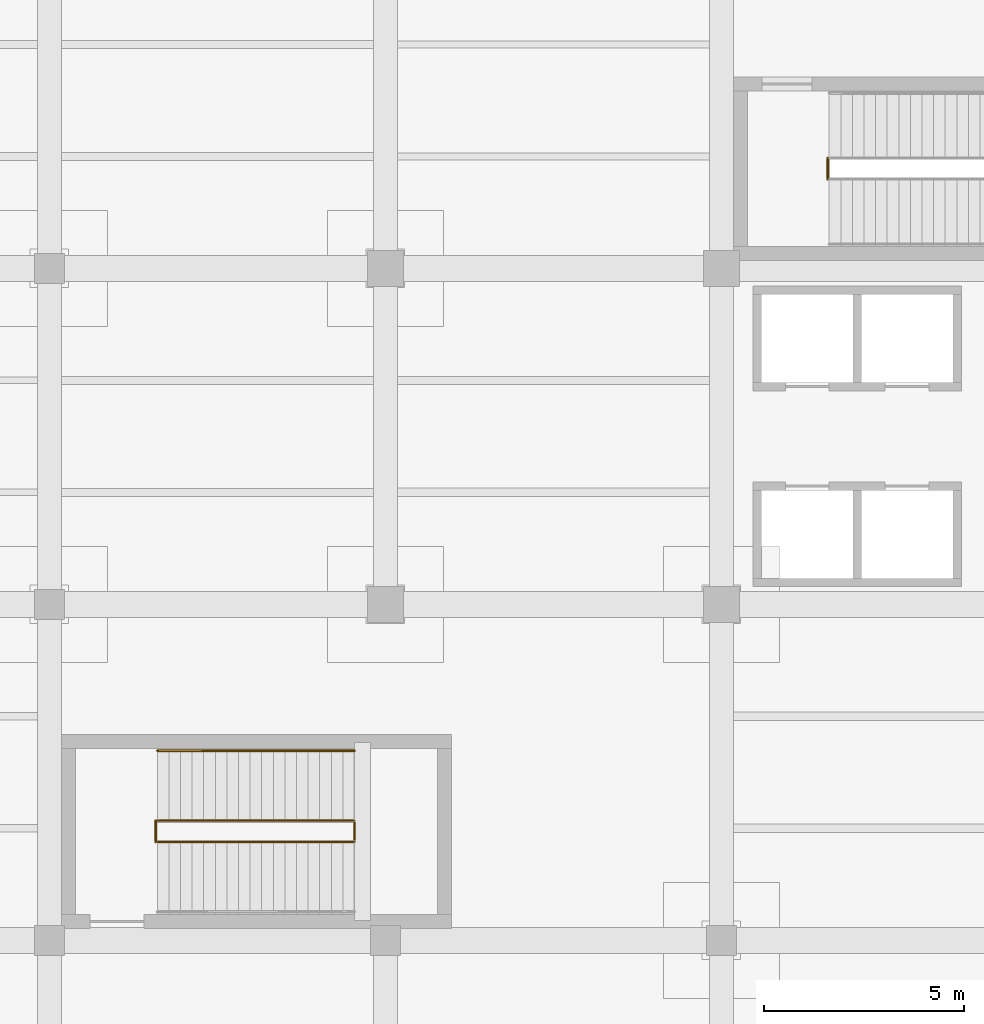
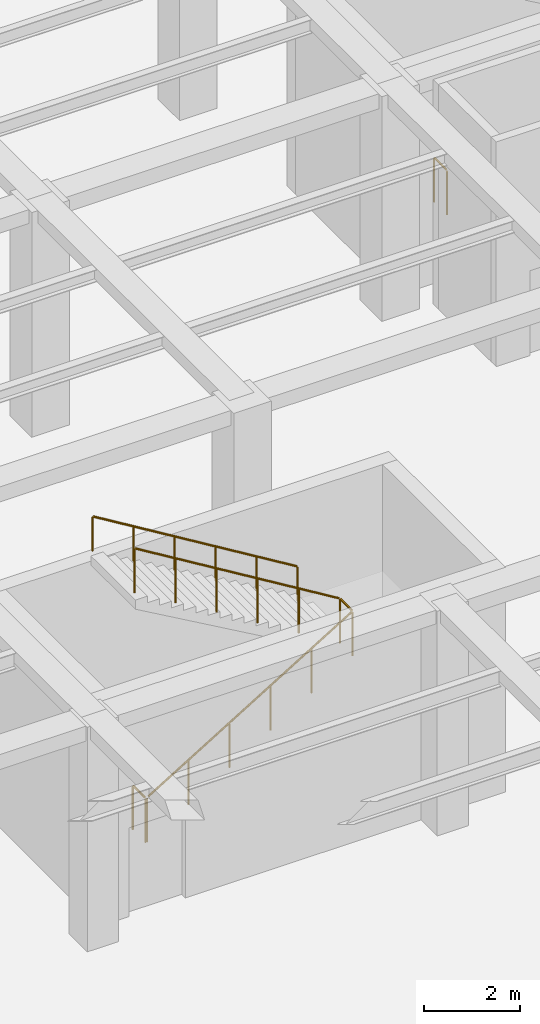
# One storey, part 39 of 43: 4 railings.
"""IFC4 building model written with IfcOpenShell, lengths in metres."""

from ifc_helpers import new_model, si_unit, direction, frame, origin, origin_2d, place, context, subcontext, project, spatial, circle, extrude, material, type_object, element, save


model = new_model("IFC4")

# Units and contexts
model_context = context("Model", 3, precision=1e-05, world=origin(), true_north=direction((0.0, 1.0)))
body_context = subcontext(model_context, "Body", "Model", "MODEL_VIEW")
ifc_project = project(units=[si_unit("LENGTHUNIT", "METRE"), si_unit("AREAUNIT", "SQUARE_METRE"), si_unit("VOLUMEUNIT", "CUBIC_METRE"), si_unit("PLANEANGLEUNIT", "RADIAN"), si_unit("MASSUNIT", "GRAM", prefix="KILO")], contexts=[model_context])

# Site, building, storey
site_placement = place(None, origin())
site = spatial("IfcSite", under=ifc_project, at=site_placement, CompositionType="ELEMENT")
building_placement = place(site_placement, origin())
building = spatial("IfcBuilding", under=site, at=building_placement, Name="Almacenes y Pasaje Nevantli", CompositionType="ELEMENT")
storey_placement = place(building_placement, origin())
storey = spatial("IfcBuildingStorey", under=building, at=storey_placement, Name="L01", CompositionType="ELEMENT", Elevation=0.0)

# Railings
ifc_material_1 = material(Name="Brushed Stainless Steel and Tempered Safety Glass", Category="steel")
railing_type_1 = type_object("IfcRailingType", Name="RL-GUARD-1100", PredefinedType="BALUSTRADE", material=ifc_material_1)
railing_1_placement = place(storey_placement, frame((120.260009765625, 77.830078125, 0.0)))
element("IfcRailing", 1, at=railing_1_placement, inside=storey, type_object=railing_type_1, Name="L01 Stair ST-01 Landing Well Slot Guard", PredefinedType="BALUSTRADE", context=body_context, shape_type="SweptSolid", body=[
    extrude(circle(Radius=0.02392578125, at=origin_2d()), frame((0.0, 0.030029296875, 1.1259765625), z_axis=(0.0, 1.0, 0.0), x_axis=(-1.0, 0.0, 0.0)), (0.0, 0.0, 1.0), 0.469970703125),
    extrude(circle(Radius=0.02099609375, at=origin_2d()), origin(), (0.0, 0.0, 1.0), 1.096923828125),
    extrude(circle(Radius=0.02099609375, at=origin_2d()), frame((0.0, 0.530029296875, 0.0)), (0.0, 0.0, 1.0), 1.096923828125),
])
railing_2_placement = place(storey_placement, frame((103.5, 61.260009765625, 0.0)))
element("IfcRailing", 2, at=railing_2_placement, inside=storey, type_object=railing_type_1, Name="L01 Stair ST-13 Inner Well Guard Balustrade", PredefinedType="BALUSTRADE", context=body_context, shape_type="SweptSolid", body=[
    extrude(circle(Radius=0.02392578125, at=origin_2d()), frame((0.025634765625, 0.0, 1.141357421875), z_axis=(0.854262269089, 0.0, 0.519842260316), x_axis=(0.0, 1.0, 0.0)), (0.0, 0.0, 1.0), 5.7109375),
    extrude(circle(Radius=0.02392578125, at=origin_2d()), frame((4.929931640625, 0.030029296875, 4.1259765625), z_axis=(0.0, 1.0, 0.0), x_axis=(-1.0, 0.0, 0.0)), (0.0, 0.0, 1.0), 0.469970703125),
    extrude(circle(Radius=0.02392578125, at=origin_2d()), frame((4.904296875, 0.530029296875, 4.141357421875), z_axis=(-0.854262269089, 0.0, 0.519842260316), x_axis=(0.0, -1.0, 0.0)), (0.0, 0.0, 1.0), 5.7109375),
    extrude(circle(Radius=0.02099609375, at=origin_2d()), origin(), (0.0, 0.0, 1.0), 1.096923828125),
    extrude(circle(Radius=0.02099609375, at=origin_2d()), frame((0.986083984375, 0.0, 0.60009765625)), (0.0, 0.0, 1.0), 1.096923828125),
    extrude(circle(Radius=0.02099609375, at=origin_2d()), frame((1.971923828125, 0.0, 1.199951171875)), (0.0, 0.0, 1.0), 1.096923828125),
    extrude(circle(Radius=0.02099609375, at=origin_2d()), frame((2.9580078125, 0.0, 1.800048828125)), (0.0, 0.0, 1.0), 1.096923828125),
    extrude(circle(Radius=0.02099609375, at=origin_2d()), frame((3.94384765625, 0.0, 2.39990234375)), (0.0, 0.0, 1.0), 1.096923828125),
    extrude(circle(Radius=0.02099609375, at=origin_2d()), frame((4.929931640625, 0.0, 3.0)), (0.0, 0.0, 1.0), 1.096923828125),
    extrude(circle(Radius=0.02099609375, at=origin_2d()), frame((4.929931640625, 0.530029296875, 3.0)), (0.0, 0.0, 1.0), 1.096923828125),
    extrude(circle(Radius=0.02099609375, at=origin_2d()), frame((3.94384765625, 0.530029296875, 3.60009765625)), (0.0, 0.0, 1.0), 1.096923828125),
    extrude(circle(Radius=0.02099609375, at=origin_2d()), frame((2.9580078125, 0.530029296875, 4.199951171875)), (0.0, 0.0, 1.0), 1.096923828125),
    extrude(circle(Radius=0.02099609375, at=origin_2d()), frame((1.971923828125, 0.530029296875, 4.800048828125)), (0.0, 0.0, 1.0), 1.096923828125),
    extrude(circle(Radius=0.02099609375, at=origin_2d()), frame((0.986083984375, 0.530029296875, 5.39990234375)), (0.0, 0.0, 1.0), 1.096923828125),
    extrude(circle(Radius=0.02099609375, at=origin_2d()), frame((0.0, 0.530029296875, 6.0)), (0.0, 0.0, 1.0), 1.096923828125),
])
railing_3_placement = place(storey_placement, frame((103.4599609375, 61.260009765625, 0.0)))
element("IfcRailing", 3, at=railing_3_placement, inside=storey, type_object=railing_type_1, Name="L01 Stair ST-13 Landing Well Slot Guard", PredefinedType="BALUSTRADE", context=body_context, shape_type="SweptSolid", body=[
    extrude(circle(Radius=0.02392578125, at=origin_2d()), frame((0.0, 0.030029296875, 1.1259765625), z_axis=(0.0, 1.0, 0.0), x_axis=(-1.0, 0.0, 0.0)), (0.0, 0.0, 1.0), 0.469970703125),
    extrude(circle(Radius=0.02099609375, at=origin_2d()), origin(), (0.0, 0.0, 1.0), 1.096923828125),
    extrude(circle(Radius=0.02099609375, at=origin_2d()), frame((0.0, 0.530029296875, 0.0)), (0.0, 0.0, 1.0), 1.096923828125),
])
ifc_material_2 = material(Name="Brushed Stainless Steel Tube", Category="steel")
railing_type_2 = type_object("IfcRailingType", Name="RL-HANDRAIL-900", PredefinedType="HANDRAIL", material=ifc_material_2)
railing_4_placement = place(storey_placement, frame((108.429931640625, 63.5400390625, 3.0)))
element("IfcRailing", 4, at=railing_4_placement, inside=storey, type_object=railing_type_2, Name="L01 Stair ST-13 Upper Flight Handrail", PredefinedType="HANDRAIL", context=body_context, shape_type="SweptSolid", body=[
    extrude(circle(Radius=0.02392578125, at=origin_2d()), frame((-0.025634765625, 0.0, 0.891357421875), z_axis=(-0.854262269089, 0.0, 0.519842260316), x_axis=(0.0, -1.0, 0.0)), (0.0, 0.0, 1.0), 5.7109375),
    extrude(circle(Radius=0.02099609375, at=origin_2d()), origin(), (0.0, 0.0, 1.0), 0.846923828125),
    extrude(circle(Radius=0.02099609375, at=origin_2d()), frame((-0.986083984375, 0.0, 0.60009765625)), (0.0, 0.0, 1.0), 0.846923828125),
    extrude(circle(Radius=0.02099609375, at=origin_2d()), frame((-1.971923828125, 0.0, 1.199951171875)), (0.0, 0.0, 1.0), 0.846923828125),
    extrude(circle(Radius=0.02099609375, at=origin_2d()), frame((-2.9580078125, 0.0, 1.800048828125)), (0.0, 0.0, 1.0), 0.846923828125),
    extrude(circle(Radius=0.02099609375, at=origin_2d()), frame((-3.94384765625, 0.0, 2.39990234375)), (0.0, 0.0, 1.0), 0.846923828125),
    extrude(circle(Radius=0.02099609375, at=origin_2d()), frame((-4.929931640625, 0.0, 3.0)), (0.0, 0.0, 1.0), 0.846923828125),
])

save(model, "model.ifc")
